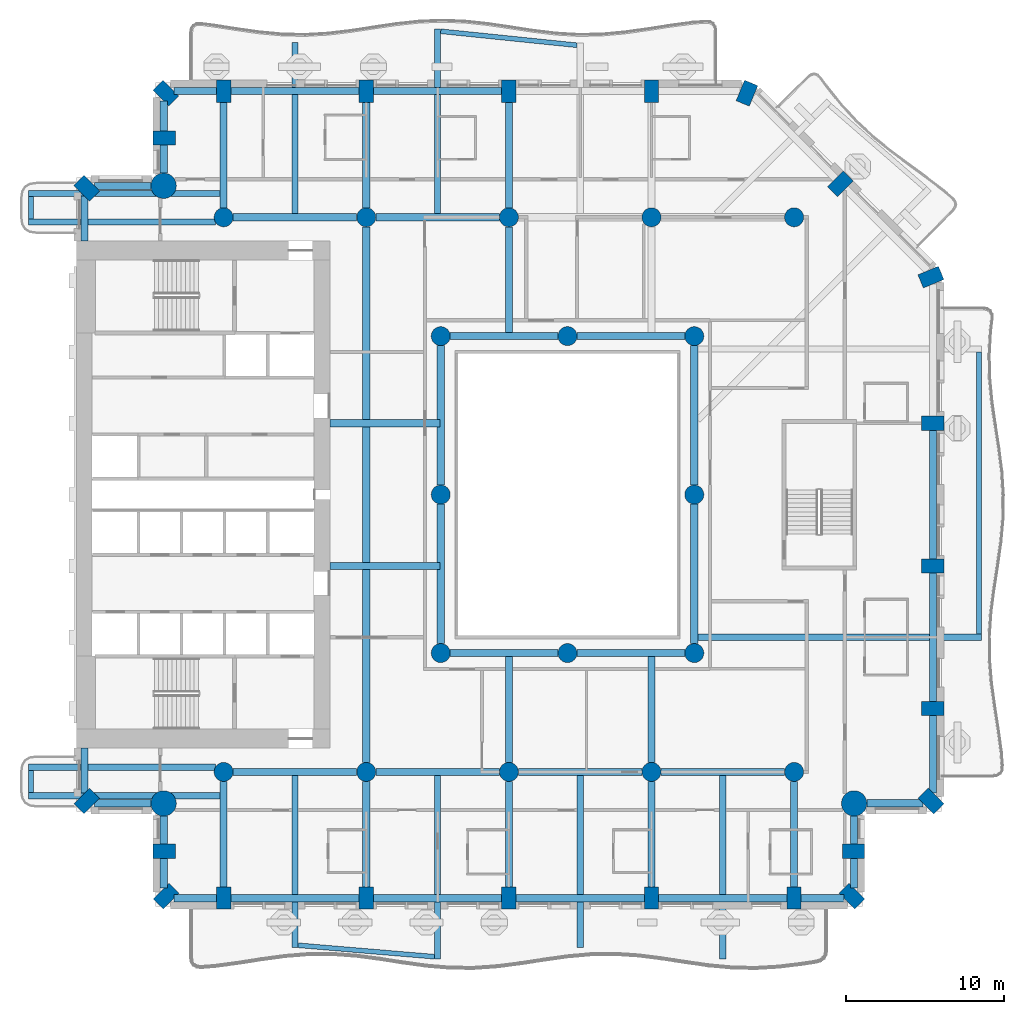
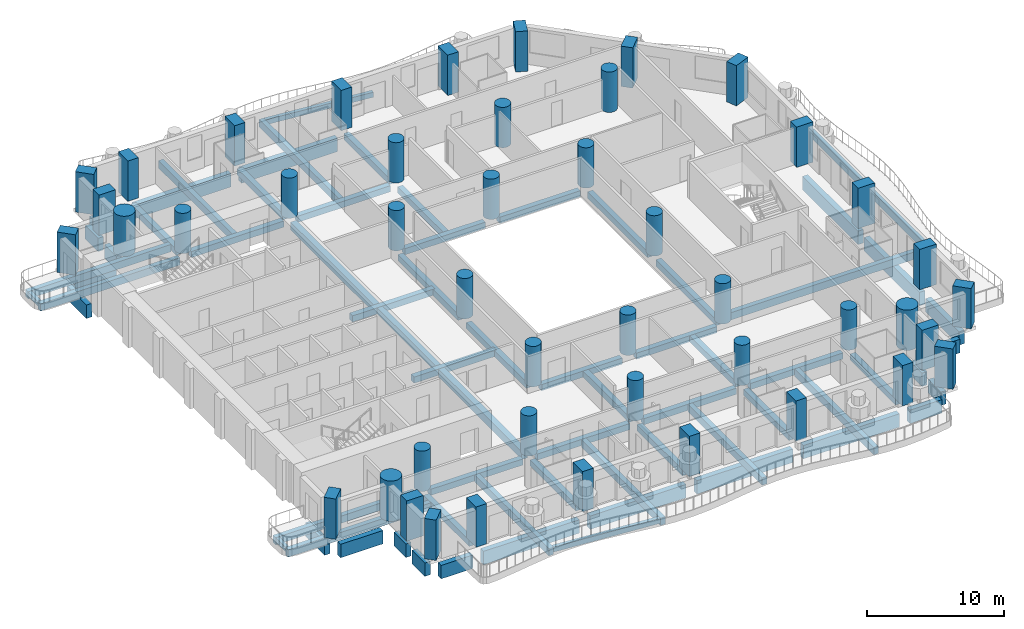
# One storey, part 1 of 19: 69 beams, 45 columns.
"""IFC4 building model written with IfcOpenShell, lengths in metres."""

from ifc_helpers import new_model, si_unit, direction, frame, origin, origin_2d, place, context, subcontext, project, spatial, rectangle, circle, extrude, material, material_profile, profile_set, type_object, element, save


model = new_model("IFC4")

# Units and contexts
model_context = context("Model", 3, precision=1e-05, world=origin(), true_north=direction((0.0, 1.0)))
body_context = subcontext(model_context, "Body", "Model", "MODEL_VIEW")
ifc_project = project(units=[si_unit("LENGTHUNIT", "METRE"), si_unit("AREAUNIT", "SQUARE_METRE"), si_unit("VOLUMEUNIT", "CUBIC_METRE"), si_unit("PLANEANGLEUNIT", "RADIAN"), si_unit("MASSUNIT", "GRAM", prefix="KILO")], contexts=[model_context])

# Site, building, storey
site_placement = place(None, origin())
site = spatial("IfcSite", under=ifc_project, at=site_placement, CompositionType="ELEMENT")
building_placement = place(site_placement, origin())
building = spatial("IfcBuilding", under=site, at=building_placement, Name="Cypress Arch Tower", CompositionType="ELEMENT")
storey_placement = place(building_placement, frame((0.0, 0.0, 98.699951171875)))
storey = spatial("IfcBuildingStorey", under=building, at=storey_placement, Name="L19", CompositionType="ELEMENT", Elevation=98.699951171875)

# Columns
ifc_material_1 = material(Name="Concrete C80/95", Category="concrete")
ifc_material_profile_1 = material_profile(ifc_material_1, rectangle(XDim=0.89990234375, YDim=1.39990234375, at=origin_2d()), Name="RC 900x1400")
ifc_profile_set_1 = profile_set([ifc_material_profile_1], Name="Concrete C80/95")
column_type_1 = type_object("IfcColumnType", Name="Column RC 900x1400 Concrete C80/95", PredefinedType="COLUMN", material=ifc_profile_set_1)
for number, where, z_axis, x_axis, name in (
    (1, (-29.3369140625, 19.3369140625, 0.0), (0.0, 0.0, 1.0), (-0.707106781187, -0.707106781187, 0.0), "Column L19 CA00"),
    (2, (-29.3369140625, -19.3369140625, 0.0), (0.0, 0.0, 1.0), (0.707106781187, -0.707106781187, 0.0), "Column L19 CA01"),
    (3, (-24.449951171875, -22.5, 0.0), (0.0, 0.0, 1.0), (0.0, -1.0, 0.0), "Column L19 CA03"),
    (4, (-24.3369140625, -25.3369140625, 0.0), (0.0, 0.0, 1.0), (0.707106781187, -0.707106781187, 0.0), "Column L19 CA04"),
    (5, (-20.699951171875, -25.449951171875, 0.0), (0.0, 0.0, 1.0), (1.0, 0.0, 0.0), "Column L19 CA05"),
    (6, (-11.699951171875, -25.449951171875, 0.0), (0.0, 0.0, 1.0), (1.0, 0.0, 0.0), "Column L19 CA06"),
    (7, (-2.699951171875, -25.449951171875, 0.0), (0.0, 0.0, 1.0), (1.0, 0.0, 0.0), "Column L19 CA07"),
    (8, (6.300048828125, -25.449951171875, 0.0), (0.0, 0.0, 1.0), (1.0, 0.0, 0.0), "Column L19 CA08"),
    (9, (15.300048828125, -25.449951171875, 0.0), (0.0, 0.0, 1.0), (1.0, 0.0, 0.0), "Column L19 CA09"),
    (10, (18.936767578125, -25.3369140625, 0.0), (0.0, 0.0, 1.0), (0.707106781187, 0.707106781187, 0.0), "Column L19 CA10"),
    (11, (19.050048828125, -22.5, 0.0), (0.0, 0.0, 1.0), (0.0, 1.0, 0.0), "Column L19 CA11"),
    (12, (23.936767578125, -19.3369140625, 0.0), (0.0, 0.0, 1.0), (0.707106781187, 0.707106781187, 0.0), "Column L19 CA13"),
    (13, (24.050048828125, -13.5, 0.0), (0.0, 0.0, 1.0), (0.0, 1.0, 0.0), "Column L19 CA14"),
    (14, (24.050048828125, -4.5, 0.0), (0.0, 0.0, 1.0), (0.0, 1.0, 0.0), "Column L19 CA15"),
    (15, (24.050048828125, 4.5, 0.0), (0.0, 0.0, 1.0), (0.0, 1.0, 0.0), "Column L19 CA16"),
    (16, (23.93115234375, 13.722900390625, 0.0), (0.0, 0.0, 1.0), (-0.382683496864, 0.923879505795, 0.0), "Column L19 CA17"),
    (17, (18.211181640625, 19.611083984375, 0.0), (0.0, 0.0, 1.0), (-0.707106781187, 0.707106781187, 0.0), "Column L19 CA18"),
    (18, (12.322998046875, 25.3310546875, 0.0), (0.0, 0.0, 1.0), (-0.923879505795, 0.382683496864, 0.0), "Column L19 CA19"),
    (19, (6.300048828125, 25.449951171875, 0.0), (0.0, 0.0, 1.0), (-1.0, 0.0, 0.0), "Column L19 CA20"),
    (20, (-2.699951171875, 25.449951171875, 0.0), (0.0, 0.0, 1.0), (-1.0, 0.0, 0.0), "Column L19 CA21"),
    (21, (-11.699951171875, 25.449951171875, 0.0), (0.0, 0.0, 1.0), (-1.0, 0.0, 0.0), "Column L19 CA22"),
    (22, (-20.699951171875, 25.449951171875, 0.0), (0.0, 0.0, 1.0), (-1.0, 0.0, 0.0), "Column L19 CA23"),
    (23, (-24.3369140625, 25.3369140625, 0.0), (0.0, 0.0, 1.0), (-0.707106781187, -0.707106781187, 0.0), "Column L19 CA24"),
    (24, (-24.449951171875, 22.5, 0.0), (0.0, 0.0, 1.0), (0.0, -1.0, 0.0), "Column L19 CA25"),
):
    element("IfcColumn", number, at=place(storey_placement, frame(where, z_axis=z_axis, x_axis=x_axis)), inside=storey, type_object=column_type_1, Name=name, PredefinedType="COLUMN", context=body_context, shape_type="SweptSolid", body=[
        extrude(rectangle(XDim=0.89990234375, YDim=1.39990234375, at=origin_2d()), origin(), (0.0, 0.0, 1.0), 3.60009765625),
    ])
ifc_material_2 = material(Name="Concrete C80/95", Category="concrete")
ifc_material_profile_2 = material_profile(ifc_material_2, circle(Radius=0.60009765625, at=origin_2d()), Name="RC D1200")
ifc_profile_set_2 = profile_set([ifc_material_profile_2], Name="Concrete C80/95")
column_type_2 = type_object("IfcColumnType", Name="Column RC D1200 Concrete C80/95", PredefinedType="COLUMN", material=ifc_profile_set_2)
for number, where, z_axis, x_axis, name in (
    (25, (-20.699951171875, -17.5, 0.0), (0.0, 0.0, 1.0), (1.0, 0.0, 0.0), "Column L19 CIC-L19-CI3S"),
    (26, (-11.699951171875, -17.5, 0.0), (0.0, 0.0, 1.0), (1.0, 0.0, 0.0), "Column L19 CIC-L19-CI4S"),
    (27, (-2.699951171875, -17.5, 0.0), (0.0, 0.0, 1.0), (1.0, 0.0, 0.0), "Column L19 CIC-L19-CI5S"),
    (28, (6.300048828125, -17.5, 0.0), (0.0, 0.0, 1.0), (1.0, 0.0, 0.0), "Column L19 CIC-L19-CI6S"),
    (29, (15.300048828125, -17.5, 0.0), (0.0, 0.0, 1.0), (1.0, 0.0, 0.0), "Column L19 CIC-L19-CI7S"),
    (30, (-20.699951171875, 17.5, 0.0), (0.0, 0.0, 1.0), (1.0, 0.0, 0.0), "Column L19 CIC-L19-CI3N"),
    (31, (-11.699951171875, 17.5, 0.0), (0.0, 0.0, 1.0), (1.0, 0.0, 0.0), "Column L19 CIC-L19-CI4N"),
    (32, (-2.699951171875, 17.5, 0.0), (0.0, 0.0, 1.0), (1.0, 0.0, 0.0), "Column L19 CIC-L19-CI5N"),
    (33, (6.300048828125, 17.5, 0.0), (0.0, 0.0, 1.0), (1.0, 0.0, 0.0), "Column L19 CIC-L19-CI6N"),
    (34, (15.300048828125, 17.5, 0.0), (0.0, 0.0, 1.0), (1.0, 0.0, 0.0), "Column L19 CIC-L19-CI7N"),
    (35, (-7.0, -10.0, 0.0), (0.0, 0.0, 1.0), (1.0, 0.0, 0.0), "Column L19 RNG-L19-G-7-10"),
    (36, (-7.0, 0.0, 0.0), (0.0, 0.0, 1.0), (1.0, 0.0, 0.0), "Column L19 RNG-L19-G-7+0"),
    (37, (-7.0, 10.0, 0.0), (0.0, 0.0, 1.0), (1.0, 0.0, 0.0), "Column L19 RNG-L19-G-7+10"),
    (38, (1.0, -10.0, 0.0), (0.0, 0.0, 1.0), (1.0, 0.0, 0.0), "Column L19 RNG-L19-G+1-10"),
    (39, (1.0, 10.0, 0.0), (0.0, 0.0, 1.0), (1.0, 0.0, 0.0), "Column L19 RNG-L19-G+1+10"),
    (40, (9.0, -10.0, 0.0), (0.0, 0.0, 1.0), (1.0, 0.0, 0.0), "Column L19 RNG-L19-G+9-10"),
    (41, (9.0, 0.0, 0.0), (0.0, 0.0, 1.0), (1.0, 0.0, 0.0), "Column L19 RNG-L19-G+9+0"),
    (42, (9.0, 10.0, 0.0), (0.0, 0.0, 1.0), (1.0, 0.0, 0.0), "Column L19 RNG-L19-G+9+10"),
):
    element("IfcColumn", number, at=place(storey_placement, frame(where, z_axis=z_axis, x_axis=x_axis)), inside=storey, type_object=column_type_2, Name=name, PredefinedType="COLUMN", context=body_context, shape_type="SweptSolid", body=[
        extrude(circle(Radius=0.60009765625, at=origin_2d()), origin(), (0.0, 0.0, 1.0), 3.60009765625),
    ])
ifc_material_3 = material(Name="Concrete C80/95", Category="concrete")
ifc_material_profile_3 = material_profile(ifc_material_3, circle(Radius=0.800048828125, at=origin_2d()), Name="RC D1600")
ifc_profile_set_3 = profile_set([ifc_material_profile_3], Name="Concrete C80/95")
column_type_3 = type_object("IfcColumnType", Name="Mega-column RC D1600 Concrete C80/95", PredefinedType="COLUMN", material=ifc_profile_set_3)
for number, where, z_axis, x_axis, name in (
    (43, (-24.48779296875, -19.48779296875, 0.0), (0.0, 0.0, 1.0), (1.0, 0.0, 0.0), "Column L19 CA02"),
    (44, (19.087890625, -19.48779296875, 0.0), (0.0, 0.0, 1.0), (1.0, 0.0, 0.0), "Column L19 CA12"),
    (45, (-24.48779296875, 19.48779296875, 0.0), (0.0, 0.0, 1.0), (1.0, 0.0, 0.0), "Column L19 CA26"),
):
    element("IfcColumn", number, at=place(storey_placement, frame(where, z_axis=z_axis, x_axis=x_axis)), inside=storey, type_object=column_type_3, Name=name, PredefinedType="COLUMN", context=body_context, shape_type="SweptSolid", body=[
        extrude(circle(Radius=0.800048828125, at=origin_2d()), origin(), (0.0, 0.0, 1.0), 3.60009765625),
    ])

# Beams
ifc_material_4 = material(Name="Concrete C50/60", Category="concrete")
ifc_material_profile_4 = material_profile(ifc_material_4, rectangle(XDim=0.300048828125, YDim=0.449951171875, at=origin_2d()), Name="RC 300x450")
ifc_profile_set_4 = profile_set([ifc_material_profile_4], Name="Concrete C50/60")
beam_type_1 = type_object("IfcBeamType", Name="Balcony edge beam RC 300x450 Concrete C50/60", PredefinedType="BEAM", material=ifc_profile_set_4)
beam_1_placement = place(storey_placement, frame((-16.0, -28.439208984375, -0.52490234375), z_axis=(0.996499955458, -0.083593293828, 0.0), x_axis=(0.083593293828, 0.996499955458, 0.0)))
element("IfcBeam", 46, at=beam_1_placement, inside=storey, type_object=beam_type_1, Name="Balcony edge beam L19 A03", PredefinedType="BEAM", context=body_context, shape_type="SweptSolid", body=[
    extrude(rectangle(XDim=0.300048828125, YDim=0.449951171875, at=origin_2d()), origin(), (0.0, 0.0, 1.0), 8.63037109375),
])
beam_2_placement = place(storey_placement, frame((1.60009765625, 28.35546875, -0.52490234375), z_axis=(-0.994766876942, 0.102170742088, 0.0), x_axis=(-0.102170742088, -0.994766876942, 0.0)))
element("IfcBeam", 47, at=beam_2_placement, inside=storey, type_object=beam_type_1, Name="Balcony edge beam L19 A08", PredefinedType="BEAM", context=body_context, shape_type="SweptSolid", body=[
    extrude(rectangle(XDim=0.300048828125, YDim=0.449951171875, at=origin_2d()), origin(), (0.0, 0.0, 1.0), 8.645263671875),
])
ifc_material_5 = material(Name="Concrete C50/60", Category="concrete")
ifc_material_profile_5 = material_profile(ifc_material_5, rectangle(XDim=0.300048828125, YDim=0.64990234375, at=origin_2d()), Name="RC 300x650")
ifc_profile_set_5 = profile_set([ifc_material_profile_5], Name="Concrete C50/60")
beam_type_2 = type_object("IfcBeamType", Name="Balcony edge beam RC 300x650 Concrete C50/60", PredefinedType="BEAM", material=ifc_profile_set_5)
beam_3_placement = place(storey_placement, frame((26.960693359375, -8.800048828125, -0.625), z_axis=(0.000741157375, 0.999999725343, 0.0), x_axis=(-0.999999725343, 0.000741157375, 0.0)))
element("IfcBeam", 48, at=beam_3_placement, inside=storey, type_object=beam_type_2, Name="Balcony edge beam L19 A06", PredefinedType="BEAM", context=body_context, shape_type="SweptSolid", body=[
    extrude(rectangle(XDim=0.300048828125, YDim=0.64990234375, at=origin_2d()), origin(), (0.0, 0.0, 1.0), 17.787841796875),
])
ifc_material_6 = material(Name="Concrete C50/60", Category="concrete")
ifc_material_profile_6 = material_profile(ifc_material_6, rectangle(XDim=0.300048828125, YDim=0.39990234375, at=origin_2d()), Name="RC 300x400")
ifc_profile_set_6 = profile_set([ifc_material_profile_6], Name="Concrete C50/60")
beam_type_3 = type_object("IfcBeamType", Name="Balcony stub beam RC 300x400 Concrete C50/60", PredefinedType="BEAM", material=ifc_profile_set_6)
for number, where, z_axis, x_axis, name in (
    (49, (-32.85009765625, 18.800048828125, -0.5), (0.0, -1.0, 0.0), (1.0, 0.0, 0.0), "Balcony stub beam L19 A00W0"),
    (50, (-32.85009765625, -17.39990234375, -0.5), (0.0, -1.0, 0.0), (1.0, 0.0, 0.0), "Balcony stub beam L19 A00W1"),
):
    element("IfcBeam", number, at=place(storey_placement, frame(where, z_axis=z_axis, x_axis=x_axis)), inside=storey, type_object=beam_type_3, Name=name, PredefinedType="BEAM", context=body_context, shape_type="SweptSolid", body=[
        extrude(rectangle(XDim=0.300048828125, YDim=0.39990234375, at=origin_2d()), origin(), (0.0, 0.0, 1.0), 1.400146484375),
    ])
ifc_material_7 = material(Name="Concrete C50/60", Category="concrete")
ifc_material_profile_7 = material_profile(ifc_material_7, rectangle(XDim=0.39990234375, YDim=0.64990234375, at=origin_2d()), Name="RC 400x650")
ifc_profile_set_7 = profile_set([ifc_material_profile_7], Name="Concrete C50/60")
beam_type_4 = type_object("IfcBeamType", Name="Cantilever beam RC 400x650 Concrete C50/60", PredefinedType="BEAM", material=ifc_profile_set_7)
beam_4_placement = place(storey_placement, frame((-20.925048828125, 19.0, -0.625), z_axis=(-1.0, 0.0, 0.0), x_axis=(0.0, -1.0, 0.0)))
element("IfcBeam", 51, at=beam_4_placement, inside=storey, type_object=beam_type_4, Name="Cantilever beam L19 A00 1", PredefinedType="BEAM", context=body_context, shape_type="SweptSolid", body=[
    extrude(rectangle(XDim=0.39990234375, YDim=0.64990234375, at=origin_2d()), origin(), (0.0, 0.0, 1.0), 12.074951171875),
])
for number, where, z_axis, x_axis, name in (
    (52, (-21.219482421875, 17.199951171875, -0.625), (-1.0, 0.0, 0.0), (0.0, -1.0, 0.0), "Cantilever beam L19 A00 2"),
    (53, (-21.219482421875, -17.199951171875, -0.625), (-1.0, 0.0, 0.0), (0.0, -1.0, 0.0), "Cantilever beam L19 A00 1"),
):
    element("IfcBeam", number, at=place(storey_placement, frame(where, z_axis=z_axis, x_axis=x_axis)), inside=storey, type_object=beam_type_4, Name=name, PredefinedType="BEAM", context=body_context, shape_type="SweptSolid", body=[
        extrude(rectangle(XDim=0.39990234375, YDim=0.64990234375, at=origin_2d()), origin(), (0.0, 0.0, 1.0), 11.780517578125),
    ])
beam_5_placement = place(storey_placement, frame((-20.925048828125, -19.0, -0.625), z_axis=(-1.0, 0.0, 0.0), x_axis=(0.0, -1.0, 0.0)))
element("IfcBeam", 54, at=beam_5_placement, inside=storey, type_object=beam_type_4, Name="Cantilever beam L19 A00 2", PredefinedType="BEAM", context=body_context, shape_type="SweptSolid", body=[
    extrude(rectangle(XDim=0.39990234375, YDim=0.64990234375, at=origin_2d()), origin(), (0.0, 0.0, 1.0), 12.074951171875),
])
beam_6_placement = place(storey_placement, frame((-16.199951171875, -17.72509765625, -0.625), z_axis=(0.0, -1.0, 0.0), x_axis=(1.0, 0.0, 0.0)))
element("IfcBeam", 55, at=beam_6_placement, inside=storey, type_object=beam_type_4, Name="Cantilever beam L19 A03 1", PredefinedType="BEAM", context=body_context, shape_type="SweptSolid", body=[
    extrude(rectangle(XDim=0.39990234375, YDim=0.64990234375, at=origin_2d()), origin(), (0.0, 0.0, 1.0), 10.8642578125),
])
beam_7_placement = place(storey_placement, frame((-7.199951171875, -17.72509765625, -0.625), z_axis=(0.0, -1.0, 0.0), x_axis=(1.0, 0.0, 0.0)))
element("IfcBeam", 56, at=beam_7_placement, inside=storey, type_object=beam_type_4, Name="Cantilever beam L19 A03 2", PredefinedType="BEAM", context=body_context, shape_type="SweptSolid", body=[
    extrude(rectangle(XDim=0.39990234375, YDim=0.64990234375, at=origin_2d()), origin(), (0.0, 0.0, 1.0), 11.58544921875),
])
beam_8_placement = place(storey_placement, frame((1.800048828125, -17.72509765625, -0.625), z_axis=(0.0, -1.0, 0.0), x_axis=(1.0, 0.0, 0.0)))
element("IfcBeam", 57, at=beam_8_placement, inside=storey, type_object=beam_type_4, Name="Cantilever beam L19 A03 3", PredefinedType="BEAM", context=body_context, shape_type="SweptSolid", body=[
    extrude(rectangle(XDim=0.39990234375, YDim=0.64990234375, at=origin_2d()), origin(), (0.0, 0.0, 1.0), 10.8642578125),
])
beam_9_placement = place(storey_placement, frame((10.800048828125, -17.72509765625, -0.625), z_axis=(0.0, -1.0, 0.0), x_axis=(1.0, 0.0, 0.0)))
element("IfcBeam", 58, at=beam_9_placement, inside=storey, type_object=beam_type_4, Name="Cantilever beam L19 A03 4", PredefinedType="BEAM", context=body_context, shape_type="SweptSolid", body=[
    extrude(rectangle(XDim=0.39990234375, YDim=0.64990234375, at=origin_2d()), origin(), (0.0, 0.0, 1.0), 11.586181640625),
])
beam_10_placement = place(storey_placement, frame((9.22509765625, -9.0, -0.625), z_axis=(1.0, 0.0, 0.0), x_axis=(0.0, 1.0, 0.0)))
element("IfcBeam", 59, at=beam_10_placement, inside=storey, type_object=beam_type_4, Name="Cantilever beam L19 A06 1", PredefinedType="BEAM", context=body_context, shape_type="SweptSolid", body=[
    extrude(rectangle(XDim=0.39990234375, YDim=0.64990234375, at=origin_2d()), origin(), (0.0, 0.0, 1.0), 17.885498046875),
])
beam_11_placement = place(storey_placement, frame((-7.199951171875, 17.72509765625, -0.625), z_axis=(0.0, 1.0, 0.0), x_axis=(-1.0, 0.0, 0.0)))
element("IfcBeam", 60, at=beam_11_placement, inside=storey, type_object=beam_type_4, Name="Cantilever beam L19 A08 2", PredefinedType="BEAM", context=body_context, shape_type="SweptSolid", body=[
    extrude(rectangle(XDim=0.39990234375, YDim=0.64990234375, at=origin_2d()), origin(), (0.0, 0.0, 1.0), 11.663818359375),
])
beam_12_placement = place(storey_placement, frame((-16.199951171875, 17.72509765625, -0.625), z_axis=(0.0, 1.0, 0.0), x_axis=(-1.0, 0.0, 0.0)))
element("IfcBeam", 61, at=beam_12_placement, inside=storey, type_object=beam_type_4, Name="Cantilever beam L19 A08 3", PredefinedType="BEAM", context=body_context, shape_type="SweptSolid", body=[
    extrude(rectangle(XDim=0.39990234375, YDim=0.64990234375, at=origin_2d()), origin(), (0.0, 0.0, 1.0), 10.791259765625),
])
ifc_material_8 = material(Name="Concrete C50/60", Category="concrete")
ifc_material_profile_8 = material_profile(ifc_material_8, rectangle(XDim=0.449951171875, YDim=0.550048828125, at=origin_2d()), Name="RC 450x550")
ifc_profile_set_8 = profile_set([ifc_material_profile_8], Name="Concrete C50/60")
beam_type_5 = type_object("IfcBeamType", Name="Floor beam RC 450x550 Concrete C50/60", PredefinedType="BEAM", material=ifc_profile_set_8)
for number, where, z_axis, x_axis, name in (
    (62, (-7.0, -9.39990234375, -0.574951171875), (0.0, 1.0, 0.0), (-1.0, 0.0, 0.0), "Floor beam L19 RB001"),
    (63, (-7.0, 0.60009765625, -0.574951171875), (0.0, 1.0, 0.0), (-1.0, 0.0, 0.0), "Floor beam L19 RB002"),
    (64, (9.0, -9.39990234375, -0.574951171875), (0.0, 1.0, 0.0), (-1.0, 0.0, 0.0), "Floor beam L19 RB003"),
    (65, (9.0, 0.60009765625, -0.574951171875), (0.0, 1.0, 0.0), (-1.0, 0.0, 0.0), "Floor beam L19 RB004"),
):
    element("IfcBeam", number, at=place(storey_placement, frame(where, z_axis=z_axis, x_axis=x_axis)), inside=storey, type_object=beam_type_5, Name=name, PredefinedType="BEAM", context=body_context, shape_type="SweptSolid", body=[
        extrude(rectangle(XDim=0.449951171875, YDim=0.550048828125, at=origin_2d()), origin(), (0.0, 0.0, 1.0), 8.7998046875),
    ])
for number, where, z_axis, x_axis, name in (
    (66, (-6.39990234375, -10.0, -0.574951171875), (1.0, 0.0, 0.0), (0.0, 1.0, 0.0), "Floor beam L19 RB005"),
    (67, (1.60009765625, -10.0, -0.574951171875), (1.0, 0.0, 0.0), (0.0, 1.0, 0.0), "Floor beam L19 RB006"),
    (68, (-6.39990234375, 10.0, -0.574951171875), (1.0, 0.0, 0.0), (0.0, 1.0, 0.0), "Floor beam L19 RB007"),
    (69, (1.60009765625, 10.0, -0.574951171875), (1.0, 0.0, 0.0), (0.0, 1.0, 0.0), "Floor beam L19 RB008"),
):
    element("IfcBeam", number, at=place(storey_placement, frame(where, z_axis=z_axis, x_axis=x_axis)), inside=storey, type_object=beam_type_5, Name=name, PredefinedType="BEAM", context=body_context, shape_type="SweptSolid", body=[
        extrude(rectangle(XDim=0.449951171875, YDim=0.550048828125, at=origin_2d()), origin(), (0.0, 0.0, 1.0), 6.7998046875),
    ])
for number, where, z_axis, x_axis, name in (
    (70, (-20.10009765625, -17.5, -0.574951171875), (1.0, 0.0, 0.0), (0.0, 1.0, 0.0), "Floor beam L19 FB009"),
    (71, (-11.10009765625, -17.5, -0.574951171875), (1.0, 0.0, 0.0), (0.0, 1.0, 0.0), "Floor beam L19 FB010"),
    (72, (-2.10009765625, -17.5, -0.574951171875), (1.0, 0.0, 0.0), (0.0, 1.0, 0.0), "Floor beam L19 FB011"),
    (73, (6.89990234375, -17.5, -0.574951171875), (1.0, 0.0, 0.0), (0.0, 1.0, 0.0), "Floor beam L19 FB012"),
):
    element("IfcBeam", number, at=place(storey_placement, frame(where, z_axis=z_axis, x_axis=x_axis)), inside=storey, type_object=beam_type_5, Name=name, PredefinedType="BEAM", context=body_context, shape_type="SweptSolid", body=[
        extrude(rectangle(XDim=0.449951171875, YDim=0.550048828125, at=origin_2d()), origin(), (0.0, 0.0, 1.0), 7.800048828125),
    ])
for number, where, z_axis, x_axis, name in (
    (74, (-14.0, -4.5, -0.574951171875), (1.0, 0.0, 0.0), (0.0, 1.0, 0.0), "Floor beam L19 FB013"),
    (75, (-14.0, 4.5, -0.574951171875), (1.0, 0.0, 0.0), (0.0, 1.0, 0.0), "Floor beam L19 FB014"),
):
    element("IfcBeam", number, at=place(storey_placement, frame(where, z_axis=z_axis, x_axis=x_axis)), inside=storey, type_object=beam_type_5, Name=name, PredefinedType="BEAM", context=body_context, shape_type="SweptSolid", body=[
        extrude(rectangle(XDim=0.449951171875, YDim=0.550048828125, at=origin_2d()), origin(), (0.0, 0.0, 1.0), 6.949951171875),
    ])
for number, where, z_axis, x_axis, name in (
    (76, (-20.10009765625, 17.5, -0.574951171875), (1.0, 0.0, 0.0), (0.0, 1.0, 0.0), "Floor beam L19 FB015"),
    (77, (-11.10009765625, 17.5, -0.574951171875), (1.0, 0.0, 0.0), (0.0, 1.0, 0.0), "Floor beam L19 FB016"),
):
    element("IfcBeam", number, at=place(storey_placement, frame(where, z_axis=z_axis, x_axis=x_axis)), inside=storey, type_object=beam_type_5, Name=name, PredefinedType="BEAM", context=body_context, shape_type="SweptSolid", body=[
        extrude(rectangle(XDim=0.449951171875, YDim=0.550048828125, at=origin_2d()), origin(), (0.0, 0.0, 1.0), 7.800048828125),
    ])
for number, where, z_axis, x_axis, name in (
    (78, (-20.699951171875, -24.75, -0.574951171875), (0.0, 1.0, 0.0), (-1.0, 0.0, 0.0), "Floor beam L19 FB019"),
    (79, (-20.699951171875, 18.10009765625, -0.574951171875), (0.0, 1.0, 0.0), (-1.0, 0.0, 0.0), "Floor beam L19 FB020"),
    (80, (-11.699951171875, -24.75, -0.574951171875), (0.0, 1.0, 0.0), (-1.0, 0.0, 0.0), "Floor beam L19 FB021"),
):
    element("IfcBeam", number, at=place(storey_placement, frame(where, z_axis=z_axis, x_axis=x_axis)), inside=storey, type_object=beam_type_5, Name=name, PredefinedType="BEAM", context=body_context, shape_type="SweptSolid", body=[
        extrude(rectangle(XDim=0.449951171875, YDim=0.550048828125, at=origin_2d()), origin(), (0.0, 0.0, 1.0), 6.64990234375),
    ])
beam_13_placement = place(storey_placement, frame((-11.699951171875, -4.27490234375, -0.574951171875), z_axis=(0.0, 1.0, 0.0), x_axis=(-1.0, 0.0, 0.0)))
element("IfcBeam", 81, at=beam_13_placement, inside=storey, type_object=beam_type_5, Name="Floor beam L19 FB023", PredefinedType="BEAM", context=body_context, shape_type="SweptSolid", body=[
    extrude(rectangle(XDim=0.449951171875, YDim=0.550048828125, at=origin_2d()), origin(), (0.0, 0.0, 1.0), 8.5498046875),
])
for number, where, z_axis, x_axis, name in (
    (82, (-11.699951171875, 18.10009765625, -0.574951171875), (0.0, 1.0, 0.0), (-1.0, 0.0, 0.0), "Floor beam L19 FB025"),
    (83, (-2.699951171875, -24.75, -0.574951171875), (0.0, 1.0, 0.0), (-1.0, 0.0, 0.0), "Floor beam L19 FB026"),
):
    element("IfcBeam", number, at=place(storey_placement, frame(where, z_axis=z_axis, x_axis=x_axis)), inside=storey, type_object=beam_type_5, Name=name, PredefinedType="BEAM", context=body_context, shape_type="SweptSolid", body=[
        extrude(rectangle(XDim=0.449951171875, YDim=0.550048828125, at=origin_2d()), origin(), (0.0, 0.0, 1.0), 6.64990234375),
    ])
for number, where, z_axis, x_axis, name in (
    (84, (-2.699951171875, -16.89990234375, -0.574951171875), (0.0, 1.0, 0.0), (-1.0, 0.0, 0.0), "Floor beam L19 FB027"),
    (85, (-2.699951171875, 10.22509765625, -0.574951171875), (0.0, 1.0, 0.0), (-1.0, 0.0, 0.0), "Floor beam L19 FB028"),
):
    element("IfcBeam", number, at=place(storey_placement, frame(where, z_axis=z_axis, x_axis=x_axis)), inside=storey, type_object=beam_type_5, Name=name, PredefinedType="BEAM", context=body_context, shape_type="SweptSolid", body=[
        extrude(rectangle(XDim=0.449951171875, YDim=0.550048828125, at=origin_2d()), origin(), (0.0, 0.0, 1.0), 6.6748046875),
    ])
for number, where, z_axis, x_axis, name in (
    (86, (-2.699951171875, 18.10009765625, -0.574951171875), (0.0, 1.0, 0.0), (-1.0, 0.0, 0.0), "Floor beam L19 FB029"),
    (87, (6.300048828125, -24.75, -0.574951171875), (0.0, 1.0, 0.0), (-1.0, 0.0, 0.0), "Floor beam L19 FB030"),
):
    element("IfcBeam", number, at=place(storey_placement, frame(where, z_axis=z_axis, x_axis=x_axis)), inside=storey, type_object=beam_type_5, Name=name, PredefinedType="BEAM", context=body_context, shape_type="SweptSolid", body=[
        extrude(rectangle(XDim=0.449951171875, YDim=0.550048828125, at=origin_2d()), origin(), (0.0, 0.0, 1.0), 6.64990234375),
    ])
beam_14_placement = place(storey_placement, frame((6.300048828125, -16.89990234375, -0.574951171875), z_axis=(0.0, 1.0, 0.0), x_axis=(-1.0, 0.0, 0.0)))
element("IfcBeam", 88, at=beam_14_placement, inside=storey, type_object=beam_type_5, Name="Floor beam L19 FB031", PredefinedType="BEAM", context=body_context, shape_type="SweptSolid", body=[
    extrude(rectangle(XDim=0.449951171875, YDim=0.550048828125, at=origin_2d()), origin(), (0.0, 0.0, 1.0), 6.6748046875),
])
beam_15_placement = place(storey_placement, frame((15.300048828125, -24.75, -0.574951171875), z_axis=(0.0, 1.0, 0.0), x_axis=(-1.0, 0.0, 0.0)))
element("IfcBeam", 89, at=beam_15_placement, inside=storey, type_object=beam_type_5, Name="Floor beam L19 FB034", PredefinedType="BEAM", context=body_context, shape_type="SweptSolid", body=[
    extrude(rectangle(XDim=0.449951171875, YDim=0.550048828125, at=origin_2d()), origin(), (0.0, 0.0, 1.0), 6.64990234375),
])
ifc_material_9 = material(Name="Concrete C50/60", Category="concrete")
ifc_material_profile_9 = material_profile(ifc_material_9, rectangle(XDim=0.5, YDim=0.699951171875, at=origin_2d()), Name="RC 500x700")
ifc_profile_set_9 = profile_set([ifc_material_profile_9], Name="Concrete C50/60")
beam_type_6 = type_object("IfcBeamType", Name="Floor beam RC 500x700 Concrete C50/60", PredefinedType="BEAM", material=ifc_profile_set_9)
for number, where, z_axis, x_axis, name in (
    (90, (-11.699951171875, -16.89990234375, -0.64990234375), (0.0, 1.0, 0.0), (-1.0, 0.0, 0.0), "Floor beam L19 FB022"),
    (91, (-11.699951171875, 4.72509765625, -0.64990234375), (0.0, 1.0, 0.0), (-1.0, 0.0, 0.0), "Floor beam L19 FB024"),
):
    element("IfcBeam", number, at=place(storey_placement, frame(where, z_axis=z_axis, x_axis=x_axis)), inside=storey, type_object=beam_type_6, Name=name, PredefinedType="BEAM", context=body_context, shape_type="SweptSolid", body=[
        extrude(rectangle(XDim=0.5, YDim=0.699951171875, at=origin_2d()), origin(), (0.0, 0.0, 1.0), 12.1748046875),
    ])
ifc_material_10 = material(Name="Concrete C50/60", Category="concrete")
ifc_material_profile_10 = material_profile(ifc_material_10, rectangle(XDim=0.449951171875, YDim=1.199951171875, at=origin_2d()), Name="RC 450x1200")
ifc_profile_set_10 = profile_set([ifc_material_profile_10], Name="Concrete C50/60")
beam_type_7 = type_object("IfcBeamType", Name="Spandrel beam RC 450x1200 Concrete C50/60", PredefinedType="SPANDREL", material=ifc_profile_set_10)
for number, where, z_axis, x_axis, name in (
    (92, (-29.47509765625, 18.838623046875, -1.550048828125), (0.0, -1.0, 0.0), (1.0, 0.0, 0.0), "Spandrel beam L19 BA00-0"),
    (93, (-29.47509765625, -16.0, -1.550048828125), (0.0, -1.0, 0.0), (1.0, 0.0, 0.0), "Spandrel beam L19 BA00-0"),
):
    element("IfcBeam", number, at=place(storey_placement, frame(where, z_axis=z_axis, x_axis=x_axis)), inside=storey, type_object=beam_type_7, Name=name, PredefinedType="SPANDREL", context=body_context, shape_type="SweptSolid", body=[
        extrude(rectangle(XDim=0.449951171875, YDim=1.199951171875, at=origin_2d()), origin(), (0.0, 0.0, 1.0), 2.838623046875),
    ])
beam_16_placement = place(storey_placement, frame((-28.838623046875, -19.47509765625, -1.550048828125), z_axis=(1.0, 0.0, 0.0), x_axis=(0.0, 1.0, 0.0)))
element("IfcBeam", 94, at=beam_16_placement, inside=storey, type_object=beam_type_7, Name="Spandrel beam L19 BA01-0", PredefinedType="SPANDREL", context=body_context, shape_type="SweptSolid", body=[
    extrude(rectangle(XDim=0.449951171875, YDim=1.199951171875, at=origin_2d()), origin(), (0.0, 0.0, 1.0), 3.551025390625),
])
beam_17_placement = place(storey_placement, frame((-24.47509765625, -20.28759765625, -1.550048828125), z_axis=(0.0, -1.0, 0.0), x_axis=(1.0, 0.0, 0.0)))
element("IfcBeam", 95, at=beam_17_placement, inside=storey, type_object=beam_type_7, Name="Spandrel beam L19 BA02-0", PredefinedType="SPANDREL", context=body_context, shape_type="SweptSolid", body=[
    extrude(rectangle(XDim=0.449951171875, YDim=1.199951171875, at=origin_2d()), origin(), (0.0, 0.0, 1.0), 1.762451171875),
])
beam_18_placement = place(storey_placement, frame((-24.47509765625, -22.949951171875, -1.550048828125), z_axis=(0.0, -1.0, 0.0), x_axis=(1.0, 0.0, 0.0)))
element("IfcBeam", 96, at=beam_18_placement, inside=storey, type_object=beam_type_7, Name="Spandrel beam L19 BA02-1", PredefinedType="SPANDREL", context=body_context, shape_type="SweptSolid", body=[
    extrude(rectangle(XDim=0.449951171875, YDim=1.199951171875, at=origin_2d()), origin(), (0.0, 0.0, 1.0), 1.888671875),
])
beam_19_placement = place(storey_placement, frame((-23.838623046875, -25.47509765625, -1.550048828125), z_axis=(1.0, 0.0, 0.0), x_axis=(0.0, 1.0, 0.0)))
element("IfcBeam", 97, at=beam_19_placement, inside=storey, type_object=beam_type_7, Name="Spandrel beam L19 BA03-0", PredefinedType="SPANDREL", context=body_context, shape_type="SweptSolid", body=[
    extrude(rectangle(XDim=0.449951171875, YDim=1.199951171875, at=origin_2d()), origin(), (0.0, 0.0, 1.0), 2.688720703125),
])
for number, where, z_axis, x_axis, name in (
    (98, (-20.25, -25.47509765625, -1.550048828125), (1.0, 0.0, 0.0), (0.0, 1.0, 0.0), "Spandrel beam L19 BA03-1"),
    (99, (-11.25, -25.47509765625, -1.550048828125), (1.0, 0.0, 0.0), (0.0, 1.0, 0.0), "Spandrel beam L19 BA03-2"),
    (100, (-2.25, -25.47509765625, -1.550048828125), (1.0, 0.0, 0.0), (0.0, 1.0, 0.0), "Spandrel beam L19 BA03-3"),
    (101, (6.75, -25.47509765625, -1.550048828125), (1.0, 0.0, 0.0), (0.0, 1.0, 0.0), "Spandrel beam L19 BA03-4"),
):
    element("IfcBeam", number, at=place(storey_placement, frame(where, z_axis=z_axis, x_axis=x_axis)), inside=storey, type_object=beam_type_7, Name=name, PredefinedType="SPANDREL", context=body_context, shape_type="SweptSolid", body=[
        extrude(rectangle(XDim=0.449951171875, YDim=1.199951171875, at=origin_2d()), origin(), (0.0, 0.0, 1.0), 8.10009765625),
    ])
beam_20_placement = place(storey_placement, frame((15.75, -25.47509765625, -1.550048828125), z_axis=(1.0, 0.0, 0.0), x_axis=(0.0, 1.0, 0.0)))
element("IfcBeam", 102, at=beam_20_placement, inside=storey, type_object=beam_type_7, Name="Spandrel beam L19 BA03-5", PredefinedType="SPANDREL", context=body_context, shape_type="SweptSolid", body=[
    extrude(rectangle(XDim=0.449951171875, YDim=1.199951171875, at=origin_2d()), origin(), (0.0, 0.0, 1.0), 2.688720703125),
])
beam_21_placement = place(storey_placement, frame((19.074951171875, -24.838623046875, -1.550048828125), z_axis=(0.0, 1.0, 0.0), x_axis=(-1.0, 0.0, 0.0)))
element("IfcBeam", 103, at=beam_21_placement, inside=storey, type_object=beam_type_7, Name="Spandrel beam L19 BA04-0", PredefinedType="SPANDREL", context=body_context, shape_type="SweptSolid", body=[
    extrude(rectangle(XDim=0.449951171875, YDim=1.199951171875, at=origin_2d()), origin(), (0.0, 0.0, 1.0), 1.888671875),
])
beam_22_placement = place(storey_placement, frame((19.074951171875, -22.050048828125, -1.550048828125), z_axis=(0.0, 1.0, 0.0), x_axis=(-1.0, 0.0, 0.0)))
element("IfcBeam", 104, at=beam_22_placement, inside=storey, type_object=beam_type_7, Name="Spandrel beam L19 BA04-1", PredefinedType="SPANDREL", context=body_context, shape_type="SweptSolid", body=[
    extrude(rectangle(XDim=0.449951171875, YDim=1.199951171875, at=origin_2d()), origin(), (0.0, 0.0, 1.0), 1.762451171875),
])
beam_23_placement = place(storey_placement, frame((19.887451171875, -19.47509765625, -1.550048828125), z_axis=(1.0, 0.0, 0.0), x_axis=(0.0, 1.0, 0.0)))
element("IfcBeam", 105, at=beam_23_placement, inside=storey, type_object=beam_type_7, Name="Spandrel beam L19 BA05-0", PredefinedType="SPANDREL", context=body_context, shape_type="SweptSolid", body=[
    extrude(rectangle(XDim=0.449951171875, YDim=1.199951171875, at=origin_2d()), origin(), (0.0, 0.0, 1.0), 3.55126953125),
])
beam_24_placement = place(storey_placement, frame((24.074951171875, -18.838623046875, -1.550048828125), z_axis=(0.0, 1.0, 0.0), x_axis=(-1.0, 0.0, 0.0)))
element("IfcBeam", 106, at=beam_24_placement, inside=storey, type_object=beam_type_7, Name="Spandrel beam L19 BA06-0", PredefinedType="SPANDREL", context=body_context, shape_type="SweptSolid", body=[
    extrude(rectangle(XDim=0.449951171875, YDim=1.199951171875, at=origin_2d()), origin(), (0.0, 0.0, 1.0), 4.888671875),
])
for number, where, z_axis, x_axis, name in (
    (107, (24.074951171875, -13.050048828125, -1.550048828125), (0.0, 1.0, 0.0), (-1.0, 0.0, 0.0), "Spandrel beam L19 BA06-1"),
    (108, (24.074951171875, -4.050048828125, -1.550048828125), (0.0, 1.0, 0.0), (-1.0, 0.0, 0.0), "Spandrel beam L19 BA06-2"),
    (109, (-3.14990234375, 25.47509765625, -1.550048828125), (-1.0, 0.0, 0.0), (0.0, -1.0, 0.0), "Spandrel beam L19 BA08-2"),
    (110, (-12.14990234375, 25.47509765625, -1.550048828125), (-1.0, 0.0, 0.0), (0.0, -1.0, 0.0), "Spandrel beam L19 BA08-3"),
):
    element("IfcBeam", number, at=place(storey_placement, frame(where, z_axis=z_axis, x_axis=x_axis)), inside=storey, type_object=beam_type_7, Name=name, PredefinedType="SPANDREL", context=body_context, shape_type="SweptSolid", body=[
        extrude(rectangle(XDim=0.449951171875, YDim=1.199951171875, at=origin_2d()), origin(), (0.0, 0.0, 1.0), 8.10009765625),
    ])
beam_25_placement = place(storey_placement, frame((-21.14990234375, 25.47509765625, -1.550048828125), z_axis=(-1.0, 0.0, 0.0), x_axis=(0.0, -1.0, 0.0)))
element("IfcBeam", 111, at=beam_25_placement, inside=storey, type_object=beam_type_7, Name="Spandrel beam L19 BA08-4", PredefinedType="SPANDREL", context=body_context, shape_type="SweptSolid", body=[
    extrude(rectangle(XDim=0.449951171875, YDim=1.199951171875, at=origin_2d()), origin(), (0.0, 0.0, 1.0), 2.688720703125),
])
beam_26_placement = place(storey_placement, frame((-24.47509765625, 24.838623046875, -1.550048828125), z_axis=(0.0, -1.0, 0.0), x_axis=(1.0, 0.0, 0.0)))
element("IfcBeam", 112, at=beam_26_placement, inside=storey, type_object=beam_type_7, Name="Spandrel beam L19 BA09-0", PredefinedType="SPANDREL", context=body_context, shape_type="SweptSolid", body=[
    extrude(rectangle(XDim=0.449951171875, YDim=1.199951171875, at=origin_2d()), origin(), (0.0, 0.0, 1.0), 1.888671875),
])
beam_27_placement = place(storey_placement, frame((-24.47509765625, 22.050048828125, -1.550048828125), z_axis=(0.0, -1.0, 0.0), x_axis=(1.0, 0.0, 0.0)))
element("IfcBeam", 113, at=beam_27_placement, inside=storey, type_object=beam_type_7, Name="Spandrel beam L19 BA09-1", PredefinedType="SPANDREL", context=body_context, shape_type="SweptSolid", body=[
    extrude(rectangle(XDim=0.449951171875, YDim=1.199951171875, at=origin_2d()), origin(), (0.0, 0.0, 1.0), 1.762451171875),
])
beam_28_placement = place(storey_placement, frame((-25.28759765625, 19.47509765625, -1.550048828125), z_axis=(-1.0, 0.0, 0.0), x_axis=(0.0, -1.0, 0.0)))
element("IfcBeam", 114, at=beam_28_placement, inside=storey, type_object=beam_type_7, Name="Spandrel beam L19 BA10-0", PredefinedType="SPANDREL", context=body_context, shape_type="SweptSolid", body=[
    extrude(rectangle(XDim=0.449951171875, YDim=1.199951171875, at=origin_2d()), origin(), (0.0, 0.0, 1.0), 3.551025390625),
])

save(model, "model.ifc")
